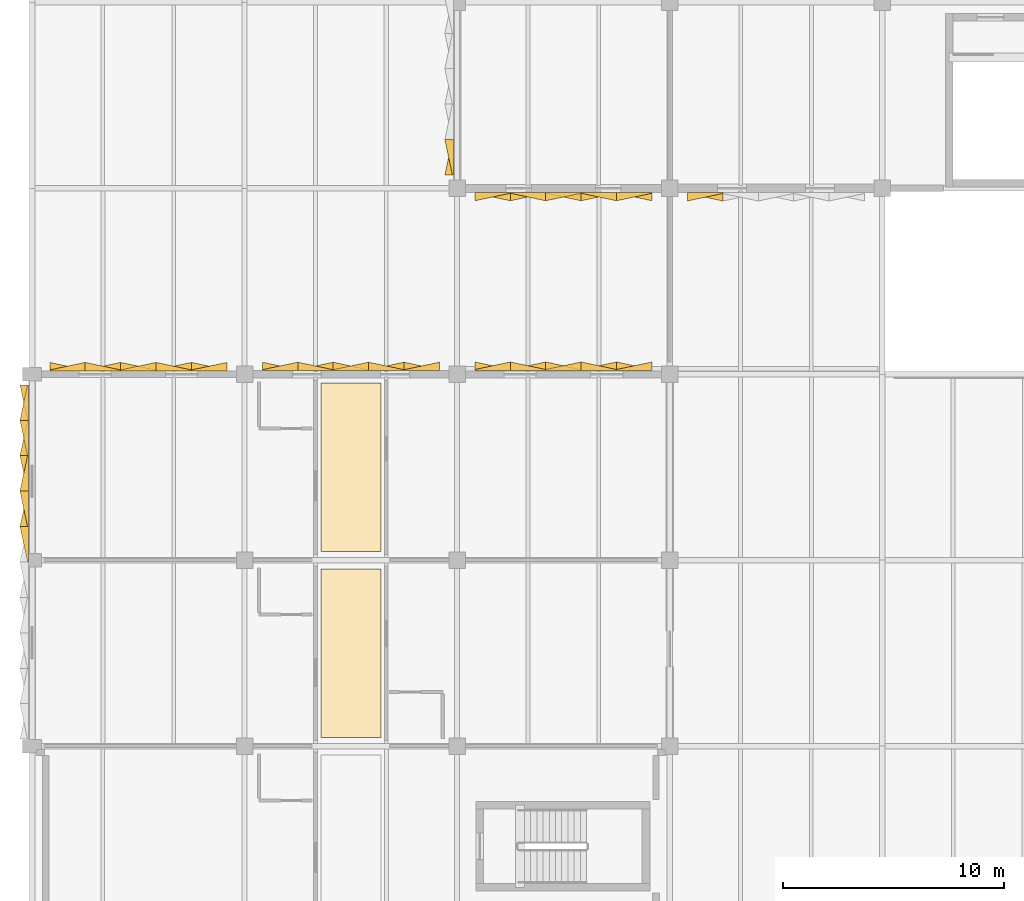
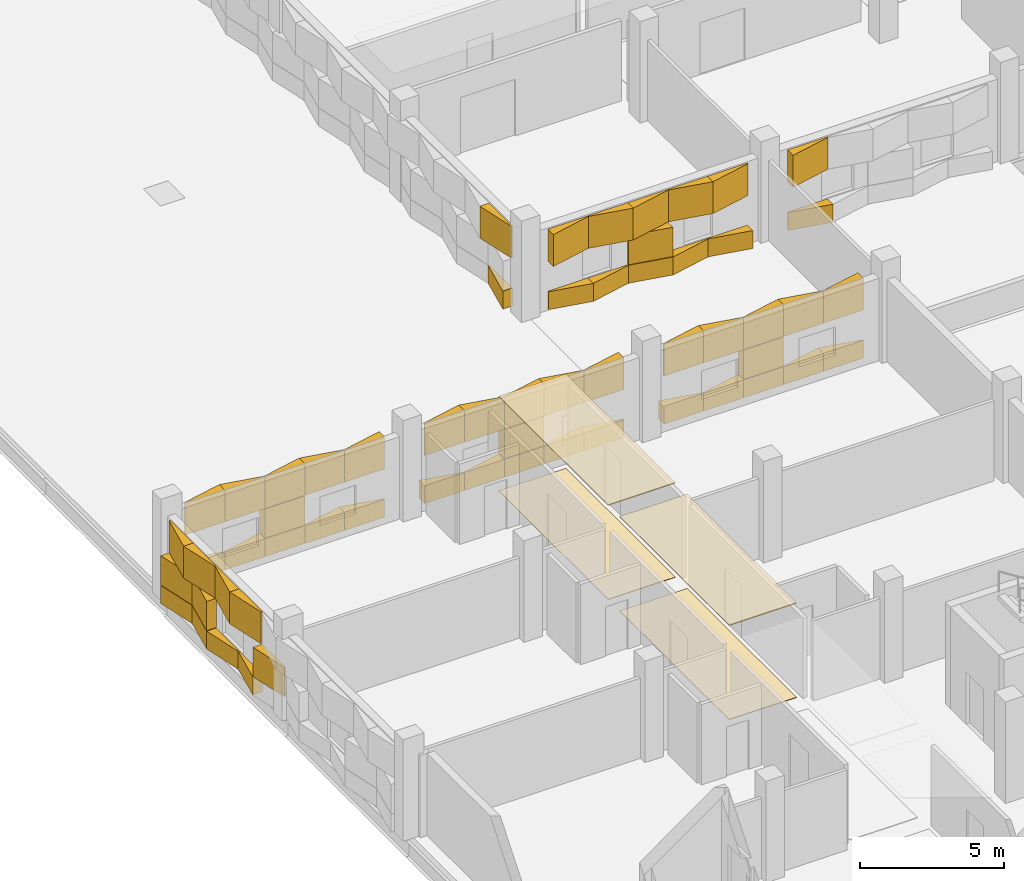
# One storey, part 72 of 86: 63 coverings.
"""IFC4 building model written with IfcOpenShell, lengths in metres."""

from ifc_helpers import new_model, si_unit, direction, frame, origin, place, context, subcontext, project, spatial, polyline, outline, extrude, material, layer, layer_set, type_object, element, save


model = new_model("IFC4")

# Units and contexts
model_context = context("Model", 3, precision=1e-05, world=origin(), true_north=direction((0.0, 1.0)))
body_context = subcontext(model_context, "Body", "Model", "MODEL_VIEW")
ifc_project = project(units=[si_unit("LENGTHUNIT", "METRE"), si_unit("AREAUNIT", "SQUARE_METRE"), si_unit("VOLUMEUNIT", "CUBIC_METRE"), si_unit("PLANEANGLEUNIT", "RADIAN"), si_unit("MASSUNIT", "GRAM", prefix="KILO")], contexts=[model_context])

# Site, building, storey
site_placement = place(None, origin())
site = spatial("IfcSite", under=ifc_project, at=site_placement, CompositionType="ELEMENT")
building_placement = place(site_placement, origin())
building = spatial("IfcBuilding", under=site, at=building_placement, Name="Oolite Switchyard Hospital", CompositionType="ELEMENT")
storey_placement = place(building_placement, frame((0.0, 0.0, 13.5)))
storey = spatial("IfcBuildingStorey", under=building, at=storey_placement, Name="L03", CompositionType="ELEMENT", Elevation=13.5)

# Coverings
ifc_material_1 = material(Name="Hygienic washable mineral-fibre acoustic ceiling")
ifc_layer_1 = layer(ifc_material_1, 0.0400390625)
ifc_layer_set_1 = layer_set([ifc_layer_1], Name="COV-CEIL-AC60")
covering_type_1 = type_object("IfcCoveringType", Name="COV-CEIL-AC60", PredefinedType="CEILING", material=ifc_layer_set_1)
covering_1_placement = place(storey_placement, frame((0.0, 0.0, 3.985107421875)))
element("IfcCovering", 1, at=covering_1_placement, inside=storey, type_object=covering_type_1, Name="L03 West Acute Medical Ward Corridor Ceiling 5", PredefinedType="CEILING", context=body_context, shape_type="SweptSolid", body=[
    extrude(outline(polyline([(13.050048828125, 67.60009765625), (15.75, 67.60009765625), (15.75, 75.199951171875), (13.050048828125, 75.199951171875), (13.050048828125, 67.60009765625)])), origin(), (0.0, 0.0, 1.0), 0.039794921875),
])
covering_2_placement = place(storey_placement, frame((0.0, 0.0, 3.985107421875)))
element("IfcCovering", 2, at=covering_2_placement, inside=storey, type_object=covering_type_1, Name="L03 West Acute Medical Ward Corridor Ceiling 6", PredefinedType="CEILING", context=body_context, shape_type="SweptSolid", body=[
    extrude(outline(polyline([(13.050048828125, 76.0), (15.75, 76.0), (15.75, 83.60009765625), (13.050048828125, 83.60009765625), (13.050048828125, 76.0)])), origin(), (0.0, 0.0, 1.0), 0.039794921875),
])
ifc_material_2 = material(Name="Precast oolitic limestone architectural concrete C40/50", Category="masonry")
covering_type_2 = type_object("IfcCoveringType", Name="COV-CHEV-WARM", PredefinedType="CLADDING", material=ifc_material_2)
covering_3_placement = place(storey_placement, frame((0.800048828125, 84.14990234375, 0.050048828125), z_axis=(0.0, 0.0, 1.0), x_axis=(1.0, 0.0, 0.0)))
element("IfcCovering", 3, at=covering_3_placement, inside=storey, type_object=covering_type_2, Name="L03 Chevron Precast Oolite Panel 67", PredefinedType="CLADDING", context=body_context, shape_type="SweptSolid", body=[
    extrude(outline(polyline([(0.0, 0.0), (1.599853515625, 0.0), (1.599853515625, 0.044921875), (0.0, 0.385009765625), (0.0, 0.0)])), origin(), (0.0, 0.0, 1.0), 0.760009765625),
])
covering_4_placement = place(storey_placement, frame((0.800048828125, 84.14990234375, 2.090087890625), z_axis=(0.0, 0.0, 1.0), x_axis=(1.0, 0.0, 0.0)))
element("IfcCovering", 4, at=covering_4_placement, inside=storey, type_object=covering_type_2, Name="L03 Chevron Precast Oolite Panel 68", PredefinedType="CLADDING", context=body_context, shape_type="SweptSolid", body=[
    extrude(outline(polyline([(0.0, 0.0), (1.599853515625, 0.0), (1.599853515625, 0.385009765625), (0.0, 0.044921875), (0.0, 0.0)])), origin(), (0.0, 0.0, 1.0), 1.349853515625),
])
covering_5_placement = place(storey_placement, frame((2.39990234375, 84.14990234375, 0.050048828125), z_axis=(0.0, 0.0, 1.0), x_axis=(1.0, 0.0, 0.0)))
element("IfcCovering", 5, at=covering_5_placement, inside=storey, type_object=covering_type_2, Name="L03 Chevron Precast Oolite Panel 69", PredefinedType="CLADDING", context=body_context, shape_type="SweptSolid", body=[
    extrude(outline(polyline([(0.0, 0.0), (1.60009765625, 0.0), (1.60009765625, 0.385009765625), (0.0, 0.044921875), (0.0, 0.0)])), origin(), (0.0, 0.0, 1.0), 0.760009765625),
])
covering_6_placement = place(storey_placement, frame((2.39990234375, 84.14990234375, 2.090087890625), z_axis=(0.0, 0.0, 1.0), x_axis=(1.0, 0.0, 0.0)))
element("IfcCovering", 6, at=covering_6_placement, inside=storey, type_object=covering_type_2, Name="L03 Chevron Precast Oolite Panel 70", PredefinedType="CLADDING", context=body_context, shape_type="SweptSolid", body=[
    extrude(outline(polyline([(0.0, 0.0), (1.60009765625, 0.0), (1.60009765625, 0.044921875), (0.0, 0.385009765625), (0.0, 0.0)])), origin(), (0.0, 0.0, 1.0), 1.349853515625),
])
covering_7_placement = place(storey_placement, frame((4.0, 84.14990234375, 0.050048828125), z_axis=(0.0, 0.0, 1.0), x_axis=(1.0, 0.0, 0.0)))
element("IfcCovering", 7, at=covering_7_placement, inside=storey, type_object=covering_type_2, Name="L03 Chevron Precast Oolite Panel 71", PredefinedType="CLADDING", context=body_context, shape_type="SweptSolid", body=[
    extrude(outline(polyline([(0.0, 0.0), (1.60009765625, 0.0), (1.60009765625, 0.044921875), (0.0, 0.385009765625), (0.0, 0.0)])), origin(), (0.0, 0.0, 1.0), 0.760009765625),
])
covering_8_placement = place(storey_placement, frame((4.0, 84.14990234375, 2.090087890625), z_axis=(0.0, 0.0, 1.0), x_axis=(1.0, 0.0, 0.0)))
element("IfcCovering", 8, at=covering_8_placement, inside=storey, type_object=covering_type_2, Name="L03 Chevron Precast Oolite Panel 72", PredefinedType="CLADDING", context=body_context, shape_type="SweptSolid", body=[
    extrude(outline(polyline([(0.0, 0.0), (1.60009765625, 0.0), (1.60009765625, 0.385009765625), (0.0, 0.044921875), (0.0, 0.0)])), origin(), (0.0, 0.0, 1.0), 1.349853515625),
])
covering_9_placement = place(storey_placement, frame((4.0, 84.14990234375, 0.830078125), z_axis=(0.0, 0.0, 1.0), x_axis=(1.0, 0.0, 0.0)))
element("IfcCovering", 9, at=covering_9_placement, inside=storey, type_object=covering_type_2, Name="L03 Chevron Precast Oolite Panel 73", PredefinedType="CLADDING", context=body_context, shape_type="SweptSolid", body=[
    extrude(outline(polyline([(0.0, 0.0), (1.60009765625, 0.0), (1.60009765625, 0.044921875), (0.0, 0.385009765625), (0.0, 0.0)])), origin(), (0.0, 0.0, 1.0), 1.239990234375),
])
covering_10_placement = place(storey_placement, frame((5.60009765625, 84.14990234375, 0.050048828125), z_axis=(0.0, 0.0, 1.0), x_axis=(1.0, 0.0, 0.0)))
element("IfcCovering", 10, at=covering_10_placement, inside=storey, type_object=covering_type_2, Name="L03 Chevron Precast Oolite Panel 74", PredefinedType="CLADDING", context=body_context, shape_type="SweptSolid", body=[
    extrude(outline(polyline([(0.0, 0.0), (1.599853515625, 0.0), (1.599853515625, 0.385009765625), (0.0, 0.044921875), (0.0, 0.0)])), origin(), (0.0, 0.0, 1.0), 0.760009765625),
])
covering_11_placement = place(storey_placement, frame((5.60009765625, 84.14990234375, 2.090087890625), z_axis=(0.0, 0.0, 1.0), x_axis=(1.0, 0.0, 0.0)))
element("IfcCovering", 11, at=covering_11_placement, inside=storey, type_object=covering_type_2, Name="L03 Chevron Precast Oolite Panel 75", PredefinedType="CLADDING", context=body_context, shape_type="SweptSolid", body=[
    extrude(outline(polyline([(0.0, 0.0), (1.599853515625, 0.0), (1.599853515625, 0.044921875), (0.0, 0.385009765625), (0.0, 0.0)])), origin(), (0.0, 0.0, 1.0), 1.349853515625),
])
covering_12_placement = place(storey_placement, frame((7.199951171875, 84.14990234375, 0.050048828125), z_axis=(0.0, 0.0, 1.0), x_axis=(1.0, 0.0, 0.0)))
element("IfcCovering", 12, at=covering_12_placement, inside=storey, type_object=covering_type_2, Name="L03 Chevron Precast Oolite Panel 76", PredefinedType="CLADDING", context=body_context, shape_type="SweptSolid", body=[
    extrude(outline(polyline([(0.0, 0.0), (1.60009765625, 0.0), (1.60009765625, 0.044921875), (0.0, 0.385009765625), (0.0, 0.0)])), origin(), (0.0, 0.0, 1.0), 0.760009765625),
])
covering_13_placement = place(storey_placement, frame((7.199951171875, 84.14990234375, 2.090087890625), z_axis=(0.0, 0.0, 1.0), x_axis=(1.0, 0.0, 0.0)))
element("IfcCovering", 13, at=covering_13_placement, inside=storey, type_object=covering_type_2, Name="L03 Chevron Precast Oolite Panel 77", PredefinedType="CLADDING", context=body_context, shape_type="SweptSolid", body=[
    extrude(outline(polyline([(0.0, 0.0), (1.60009765625, 0.0), (1.60009765625, 0.385009765625), (0.0, 0.044921875), (0.0, 0.0)])), origin(), (0.0, 0.0, 1.0), 1.349853515625),
])
covering_14_placement = place(storey_placement, frame((10.39990234375, 84.159912109375, 0.050048828125), z_axis=(0.0, 0.0, 1.0), x_axis=(1.0, 0.0, 0.0)))
element("IfcCovering", 14, at=covering_14_placement, inside=storey, type_object=covering_type_2, Name="L03 Chevron Precast Oolite Panel 78", PredefinedType="CLADDING", context=body_context, shape_type="SweptSolid", body=[
    extrude(outline(polyline([(0.0, 0.0), (1.60009765625, 0.0), (1.60009765625, 0.044921875), (0.0, 0.385009765625), (0.0, 0.0)])), origin(), (0.0, 0.0, 1.0), 0.760009765625),
])
covering_15_placement = place(storey_placement, frame((10.39990234375, 84.159912109375, 2.090087890625), z_axis=(0.0, 0.0, 1.0), x_axis=(1.0, 0.0, 0.0)))
element("IfcCovering", 15, at=covering_15_placement, inside=storey, type_object=covering_type_2, Name="L03 Chevron Precast Oolite Panel 79", PredefinedType="CLADDING", context=body_context, shape_type="SweptSolid", body=[
    extrude(outline(polyline([(0.0, 0.0), (1.60009765625, 0.0), (1.60009765625, 0.385009765625), (0.0, 0.044921875), (0.0, 0.0)])), origin(), (0.0, 0.0, 1.0), 1.349853515625),
])
covering_16_placement = place(storey_placement, frame((12.0, 84.159912109375, 0.050048828125), z_axis=(0.0, 0.0, 1.0), x_axis=(1.0, 0.0, 0.0)))
element("IfcCovering", 16, at=covering_16_placement, inside=storey, type_object=covering_type_2, Name="L03 Chevron Precast Oolite Panel 80", PredefinedType="CLADDING", context=body_context, shape_type="SweptSolid", body=[
    extrude(outline(polyline([(0.0, 0.0), (1.60009765625, 0.0), (1.60009765625, 0.385009765625), (0.0, 0.044921875), (0.0, 0.0)])), origin(), (0.0, 0.0, 1.0), 0.760009765625),
])
covering_17_placement = place(storey_placement, frame((12.0, 84.159912109375, 2.090087890625), z_axis=(0.0, 0.0, 1.0), x_axis=(1.0, 0.0, 0.0)))
element("IfcCovering", 17, at=covering_17_placement, inside=storey, type_object=covering_type_2, Name="L03 Chevron Precast Oolite Panel 81", PredefinedType="CLADDING", context=body_context, shape_type="SweptSolid", body=[
    extrude(outline(polyline([(0.0, 0.0), (1.60009765625, 0.0), (1.60009765625, 0.044921875), (0.0, 0.385009765625), (0.0, 0.0)])), origin(), (0.0, 0.0, 1.0), 1.349853515625),
])
covering_18_placement = place(storey_placement, frame((13.60009765625, 84.159912109375, 0.050048828125), z_axis=(0.0, 0.0, 1.0), x_axis=(1.0, 0.0, 0.0)))
element("IfcCovering", 18, at=covering_18_placement, inside=storey, type_object=covering_type_2, Name="L03 Chevron Precast Oolite Panel 82", PredefinedType="CLADDING", context=body_context, shape_type="SweptSolid", body=[
    extrude(outline(polyline([(0.0, 0.0), (1.599853515625, 0.0), (1.599853515625, 0.044921875), (0.0, 0.385009765625), (0.0, 0.0)])), origin(), (0.0, 0.0, 1.0), 0.760009765625),
])
covering_19_placement = place(storey_placement, frame((13.60009765625, 84.159912109375, 2.090087890625), z_axis=(0.0, 0.0, 1.0), x_axis=(1.0, 0.0, 0.0)))
element("IfcCovering", 19, at=covering_19_placement, inside=storey, type_object=covering_type_2, Name="L03 Chevron Precast Oolite Panel 83", PredefinedType="CLADDING", context=body_context, shape_type="SweptSolid", body=[
    extrude(outline(polyline([(0.0, 0.0), (1.599853515625, 0.0), (1.599853515625, 0.385009765625), (0.0, 0.044921875), (0.0, 0.0)])), origin(), (0.0, 0.0, 1.0), 1.349853515625),
])
covering_20_placement = place(storey_placement, frame((13.60009765625, 84.159912109375, 0.830078125), z_axis=(0.0, 0.0, 1.0), x_axis=(1.0, 0.0, 0.0)))
element("IfcCovering", 20, at=covering_20_placement, inside=storey, type_object=covering_type_2, Name="L03 Chevron Precast Oolite Panel 84", PredefinedType="CLADDING", context=body_context, shape_type="SweptSolid", body=[
    extrude(outline(polyline([(0.0, 0.0), (1.599853515625, 0.0), (1.599853515625, 0.044921875), (0.0, 0.385009765625), (0.0, 0.0)])), origin(), (0.0, 0.0, 1.0), 1.239990234375),
])
covering_21_placement = place(storey_placement, frame((15.199951171875, 84.159912109375, 0.050048828125), z_axis=(0.0, 0.0, 1.0), x_axis=(1.0, 0.0, 0.0)))
element("IfcCovering", 21, at=covering_21_placement, inside=storey, type_object=covering_type_2, Name="L03 Chevron Precast Oolite Panel 85", PredefinedType="CLADDING", context=body_context, shape_type="SweptSolid", body=[
    extrude(outline(polyline([(0.0, 0.0), (1.60009765625, 0.0), (1.60009765625, 0.385009765625), (0.0, 0.044921875), (0.0, 0.0)])), origin(), (0.0, 0.0, 1.0), 0.760009765625),
])
covering_22_placement = place(storey_placement, frame((15.199951171875, 84.159912109375, 2.090087890625), z_axis=(0.0, 0.0, 1.0), x_axis=(1.0, 0.0, 0.0)))
element("IfcCovering", 22, at=covering_22_placement, inside=storey, type_object=covering_type_2, Name="L03 Chevron Precast Oolite Panel 86", PredefinedType="CLADDING", context=body_context, shape_type="SweptSolid", body=[
    extrude(outline(polyline([(0.0, 0.0), (1.60009765625, 0.0), (1.60009765625, 0.044921875), (0.0, 0.385009765625), (0.0, 0.0)])), origin(), (0.0, 0.0, 1.0), 1.349853515625),
])
covering_23_placement = place(storey_placement, frame((16.800048828125, 84.159912109375, 0.050048828125), z_axis=(0.0, 0.0, 1.0), x_axis=(1.0, 0.0, 0.0)))
element("IfcCovering", 23, at=covering_23_placement, inside=storey, type_object=covering_type_2, Name="L03 Chevron Precast Oolite Panel 87", PredefinedType="CLADDING", context=body_context, shape_type="SweptSolid", body=[
    extrude(outline(polyline([(0.0, 0.0), (1.599853515625, 0.0), (1.599853515625, 0.044921875), (0.0, 0.385009765625), (0.0, 0.0)])), origin(), (0.0, 0.0, 1.0), 0.760009765625),
])
covering_24_placement = place(storey_placement, frame((16.800048828125, 84.159912109375, 2.090087890625), z_axis=(0.0, 0.0, 1.0), x_axis=(1.0, 0.0, 0.0)))
element("IfcCovering", 24, at=covering_24_placement, inside=storey, type_object=covering_type_2, Name="L03 Chevron Precast Oolite Panel 88", PredefinedType="CLADDING", context=body_context, shape_type="SweptSolid", body=[
    extrude(outline(polyline([(0.0, 0.0), (1.599853515625, 0.0), (1.599853515625, 0.385009765625), (0.0, 0.044921875), (0.0, 0.0)])), origin(), (0.0, 0.0, 1.0), 1.349853515625),
])
covering_25_placement = place(storey_placement, frame((20.0, 84.169921875, 0.050048828125), z_axis=(0.0, 0.0, 1.0), x_axis=(1.0, 0.0, 0.0)))
element("IfcCovering", 25, at=covering_25_placement, inside=storey, type_object=covering_type_2, Name="L03 Chevron Precast Oolite Panel 89", PredefinedType="CLADDING", context=body_context, shape_type="SweptSolid", body=[
    extrude(outline(polyline([(0.0, 0.0), (1.60009765625, 0.0), (1.60009765625, 0.044921875), (0.0, 0.385009765625), (0.0, 0.0)])), origin(), (0.0, 0.0, 1.0), 0.760009765625),
])
covering_26_placement = place(storey_placement, frame((20.0, 84.169921875, 2.090087890625), z_axis=(0.0, 0.0, 1.0), x_axis=(1.0, 0.0, 0.0)))
element("IfcCovering", 26, at=covering_26_placement, inside=storey, type_object=covering_type_2, Name="L03 Chevron Precast Oolite Panel 90", PredefinedType="CLADDING", context=body_context, shape_type="SweptSolid", body=[
    extrude(outline(polyline([(0.0, 0.0), (1.60009765625, 0.0), (1.60009765625, 0.385009765625), (0.0, 0.044921875), (0.0, 0.0)])), origin(), (0.0, 0.0, 1.0), 1.349853515625),
])
covering_27_placement = place(storey_placement, frame((21.60009765625, 84.169921875, 0.050048828125), z_axis=(0.0, 0.0, 1.0), x_axis=(1.0, 0.0, 0.0)))
element("IfcCovering", 27, at=covering_27_placement, inside=storey, type_object=covering_type_2, Name="L03 Chevron Precast Oolite Panel 91", PredefinedType="CLADDING", context=body_context, shape_type="SweptSolid", body=[
    extrude(outline(polyline([(0.0, 0.0), (1.599853515625, 0.0), (1.599853515625, 0.385009765625), (0.0, 0.044921875), (0.0, 0.0)])), origin(), (0.0, 0.0, 1.0), 0.760009765625),
])
covering_28_placement = place(storey_placement, frame((21.60009765625, 84.169921875, 2.090087890625), z_axis=(0.0, 0.0, 1.0), x_axis=(1.0, 0.0, 0.0)))
element("IfcCovering", 28, at=covering_28_placement, inside=storey, type_object=covering_type_2, Name="L03 Chevron Precast Oolite Panel 92", PredefinedType="CLADDING", context=body_context, shape_type="SweptSolid", body=[
    extrude(outline(polyline([(0.0, 0.0), (1.599853515625, 0.0), (1.599853515625, 0.044921875), (0.0, 0.385009765625), (0.0, 0.0)])), origin(), (0.0, 0.0, 1.0), 1.349853515625),
])
covering_29_placement = place(storey_placement, frame((23.199951171875, 84.169921875, 0.050048828125), z_axis=(0.0, 0.0, 1.0), x_axis=(1.0, 0.0, 0.0)))
element("IfcCovering", 29, at=covering_29_placement, inside=storey, type_object=covering_type_2, Name="L03 Chevron Precast Oolite Panel 93", PredefinedType="CLADDING", context=body_context, shape_type="SweptSolid", body=[
    extrude(outline(polyline([(0.0, 0.0), (1.60009765625, 0.0), (1.60009765625, 0.044921875), (0.0, 0.385009765625), (0.0, 0.0)])), origin(), (0.0, 0.0, 1.0), 0.760009765625),
])
covering_30_placement = place(storey_placement, frame((23.199951171875, 84.169921875, 2.090087890625), z_axis=(0.0, 0.0, 1.0), x_axis=(1.0, 0.0, 0.0)))
element("IfcCovering", 30, at=covering_30_placement, inside=storey, type_object=covering_type_2, Name="L03 Chevron Precast Oolite Panel 94", PredefinedType="CLADDING", context=body_context, shape_type="SweptSolid", body=[
    extrude(outline(polyline([(0.0, 0.0), (1.60009765625, 0.0), (1.60009765625, 0.385009765625), (0.0, 0.044921875), (0.0, 0.0)])), origin(), (0.0, 0.0, 1.0), 1.349853515625),
])
covering_31_placement = place(storey_placement, frame((23.199951171875, 84.169921875, 0.830078125), z_axis=(0.0, 0.0, 1.0), x_axis=(1.0, 0.0, 0.0)))
element("IfcCovering", 31, at=covering_31_placement, inside=storey, type_object=covering_type_2, Name="L03 Chevron Precast Oolite Panel 95", PredefinedType="CLADDING", context=body_context, shape_type="SweptSolid", body=[
    extrude(outline(polyline([(0.0, 0.0), (1.60009765625, 0.0), (1.60009765625, 0.044921875), (0.0, 0.385009765625), (0.0, 0.0)])), origin(), (0.0, 0.0, 1.0), 1.239990234375),
])
covering_32_placement = place(storey_placement, frame((24.800048828125, 84.169921875, 0.050048828125), z_axis=(0.0, 0.0, 1.0), x_axis=(1.0, 0.0, 0.0)))
element("IfcCovering", 32, at=covering_32_placement, inside=storey, type_object=covering_type_2, Name="L03 Chevron Precast Oolite Panel 96", PredefinedType="CLADDING", context=body_context, shape_type="SweptSolid", body=[
    extrude(outline(polyline([(0.0, 0.0), (1.599853515625, 0.0), (1.599853515625, 0.385009765625), (0.0, 0.044921875), (0.0, 0.0)])), origin(), (0.0, 0.0, 1.0), 0.760009765625),
])
covering_33_placement = place(storey_placement, frame((24.800048828125, 84.169921875, 2.090087890625), z_axis=(0.0, 0.0, 1.0), x_axis=(1.0, 0.0, 0.0)))
element("IfcCovering", 33, at=covering_33_placement, inside=storey, type_object=covering_type_2, Name="L03 Chevron Precast Oolite Panel 97", PredefinedType="CLADDING", context=body_context, shape_type="SweptSolid", body=[
    extrude(outline(polyline([(0.0, 0.0), (1.599853515625, 0.0), (1.599853515625, 0.044921875), (0.0, 0.385009765625), (0.0, 0.0)])), origin(), (0.0, 0.0, 1.0), 1.349853515625),
])
covering_34_placement = place(storey_placement, frame((26.39990234375, 84.169921875, 0.050048828125), z_axis=(0.0, 0.0, 1.0), x_axis=(1.0, 0.0, 0.0)))
element("IfcCovering", 34, at=covering_34_placement, inside=storey, type_object=covering_type_2, Name="L03 Chevron Precast Oolite Panel 98", PredefinedType="CLADDING", context=body_context, shape_type="SweptSolid", body=[
    extrude(outline(polyline([(0.0, 0.0), (1.60009765625, 0.0), (1.60009765625, 0.044921875), (0.0, 0.385009765625), (0.0, 0.0)])), origin(), (0.0, 0.0, 1.0), 0.760009765625),
])
covering_35_placement = place(storey_placement, frame((26.39990234375, 84.169921875, 2.090087890625), z_axis=(0.0, 0.0, 1.0), x_axis=(1.0, 0.0, 0.0)))
element("IfcCovering", 35, at=covering_35_placement, inside=storey, type_object=covering_type_2, Name="L03 Chevron Precast Oolite Panel 99", PredefinedType="CLADDING", context=body_context, shape_type="SweptSolid", body=[
    extrude(outline(polyline([(0.0, 0.0), (1.60009765625, 0.0), (1.60009765625, 0.385009765625), (0.0, 0.044921875), (0.0, 0.0)])), origin(), (0.0, 0.0, 1.0), 1.349853515625),
])
covering_36_placement = place(storey_placement, frame((28.0, 92.219970703125, 0.050048828125), z_axis=(0.0, 0.0, 1.0), x_axis=(-1.0, 0.0, 0.0)))
element("IfcCovering", 36, at=covering_36_placement, inside=storey, type_object=covering_type_2, Name="L03 Chevron Precast Oolite Panel 100", PredefinedType="CLADDING", context=body_context, shape_type="SweptSolid", body=[
    extrude(outline(polyline([(0.0, 0.0), (1.60009765625, 0.0), (1.60009765625, 0.044921875), (0.0, 0.385009765625), (0.0, 0.0)])), origin(), (0.0, 0.0, 1.0), 0.760009765625),
])
covering_37_placement = place(storey_placement, frame((28.0, 92.219970703125, 2.090087890625), z_axis=(0.0, 0.0, 1.0), x_axis=(-1.0, 0.0, 0.0)))
element("IfcCovering", 37, at=covering_37_placement, inside=storey, type_object=covering_type_2, Name="L03 Chevron Precast Oolite Panel 101", PredefinedType="CLADDING", context=body_context, shape_type="SweptSolid", body=[
    extrude(outline(polyline([(0.0, 0.0), (1.60009765625, 0.0), (1.60009765625, 0.385009765625), (0.0, 0.044921875), (0.0, 0.0)])), origin(), (0.0, 0.0, 1.0), 1.349853515625),
])
covering_38_placement = place(storey_placement, frame((26.39990234375, 92.219970703125, 0.050048828125), z_axis=(0.0, 0.0, 1.0), x_axis=(-1.0, 0.0, 0.0)))
element("IfcCovering", 38, at=covering_38_placement, inside=storey, type_object=covering_type_2, Name="L03 Chevron Precast Oolite Panel 102", PredefinedType="CLADDING", context=body_context, shape_type="SweptSolid", body=[
    extrude(outline(polyline([(0.0, 0.0), (1.599853515625, 0.0), (1.599853515625, 0.385009765625), (0.0, 0.044921875), (0.0, 0.0)])), origin(), (0.0, 0.0, 1.0), 0.760009765625),
])
covering_39_placement = place(storey_placement, frame((26.39990234375, 92.219970703125, 2.090087890625), z_axis=(0.0, 0.0, 1.0), x_axis=(-1.0, 0.0, 0.0)))
element("IfcCovering", 39, at=covering_39_placement, inside=storey, type_object=covering_type_2, Name="L03 Chevron Precast Oolite Panel 103", PredefinedType="CLADDING", context=body_context, shape_type="SweptSolid", body=[
    extrude(outline(polyline([(0.0, 0.0), (1.599853515625, 0.0), (1.599853515625, 0.044921875), (0.0, 0.385009765625), (0.0, 0.0)])), origin(), (0.0, 0.0, 1.0), 1.349853515625),
])
covering_40_placement = place(storey_placement, frame((24.800048828125, 92.219970703125, 0.050048828125), z_axis=(0.0, 0.0, 1.0), x_axis=(-1.0, 0.0, 0.0)))
element("IfcCovering", 40, at=covering_40_placement, inside=storey, type_object=covering_type_2, Name="L03 Chevron Precast Oolite Panel 104", PredefinedType="CLADDING", context=body_context, shape_type="SweptSolid", body=[
    extrude(outline(polyline([(0.0, 0.0), (1.60009765625, 0.0), (1.60009765625, 0.044921875), (0.0, 0.385009765625), (0.0, 0.0)])), origin(), (0.0, 0.0, 1.0), 0.760009765625),
])
covering_41_placement = place(storey_placement, frame((24.800048828125, 92.219970703125, 2.090087890625), z_axis=(0.0, 0.0, 1.0), x_axis=(-1.0, 0.0, 0.0)))
element("IfcCovering", 41, at=covering_41_placement, inside=storey, type_object=covering_type_2, Name="L03 Chevron Precast Oolite Panel 105", PredefinedType="CLADDING", context=body_context, shape_type="SweptSolid", body=[
    extrude(outline(polyline([(0.0, 0.0), (1.60009765625, 0.0), (1.60009765625, 0.385009765625), (0.0, 0.044921875), (0.0, 0.0)])), origin(), (0.0, 0.0, 1.0), 1.349853515625),
])
covering_42_placement = place(storey_placement, frame((24.800048828125, 92.219970703125, 0.830078125), z_axis=(0.0, 0.0, 1.0), x_axis=(-1.0, 0.0, 0.0)))
element("IfcCovering", 42, at=covering_42_placement, inside=storey, type_object=covering_type_2, Name="L03 Chevron Precast Oolite Panel 106", PredefinedType="CLADDING", context=body_context, shape_type="SweptSolid", body=[
    extrude(outline(polyline([(0.0, 0.0), (1.60009765625, 0.0), (1.60009765625, 0.044921875), (0.0, 0.385009765625), (0.0, 0.0)])), origin(), (0.0, 0.0, 1.0), 1.239990234375),
])
covering_43_placement = place(storey_placement, frame((23.199951171875, 92.219970703125, 0.050048828125), z_axis=(0.0, 0.0, 1.0), x_axis=(-1.0, 0.0, 0.0)))
element("IfcCovering", 43, at=covering_43_placement, inside=storey, type_object=covering_type_2, Name="L03 Chevron Precast Oolite Panel 107", PredefinedType="CLADDING", context=body_context, shape_type="SweptSolid", body=[
    extrude(outline(polyline([(0.0, 0.0), (1.599853515625, 0.0), (1.599853515625, 0.385009765625), (0.0, 0.044921875), (0.0, 0.0)])), origin(), (0.0, 0.0, 1.0), 0.760009765625),
])
covering_44_placement = place(storey_placement, frame((23.199951171875, 92.219970703125, 2.090087890625), z_axis=(0.0, 0.0, 1.0), x_axis=(-1.0, 0.0, 0.0)))
element("IfcCovering", 44, at=covering_44_placement, inside=storey, type_object=covering_type_2, Name="L03 Chevron Precast Oolite Panel 108", PredefinedType="CLADDING", context=body_context, shape_type="SweptSolid", body=[
    extrude(outline(polyline([(0.0, 0.0), (1.599853515625, 0.0), (1.599853515625, 0.044921875), (0.0, 0.385009765625), (0.0, 0.0)])), origin(), (0.0, 0.0, 1.0), 1.349853515625),
])
covering_45_placement = place(storey_placement, frame((21.60009765625, 92.219970703125, 0.050048828125), z_axis=(0.0, 0.0, 1.0), x_axis=(-1.0, 0.0, 0.0)))
element("IfcCovering", 45, at=covering_45_placement, inside=storey, type_object=covering_type_2, Name="L03 Chevron Precast Oolite Panel 109", PredefinedType="CLADDING", context=body_context, shape_type="SweptSolid", body=[
    extrude(outline(polyline([(0.0, 0.0), (1.60009765625, 0.0), (1.60009765625, 0.044921875), (0.0, 0.385009765625), (0.0, 0.0)])), origin(), (0.0, 0.0, 1.0), 0.760009765625),
])
covering_46_placement = place(storey_placement, frame((21.60009765625, 92.219970703125, 2.090087890625), z_axis=(0.0, 0.0, 1.0), x_axis=(-1.0, 0.0, 0.0)))
element("IfcCovering", 46, at=covering_46_placement, inside=storey, type_object=covering_type_2, Name="L03 Chevron Precast Oolite Panel 110", PredefinedType="CLADDING", context=body_context, shape_type="SweptSolid", body=[
    extrude(outline(polyline([(0.0, 0.0), (1.60009765625, 0.0), (1.60009765625, 0.385009765625), (0.0, 0.044921875), (0.0, 0.0)])), origin(), (0.0, 0.0, 1.0), 1.349853515625),
])
covering_47_placement = place(storey_placement, frame((31.199951171875, 92.2099609375, 0.050048828125), z_axis=(0.0, 0.0, 1.0), x_axis=(-1.0, 0.0, 0.0)))
element("IfcCovering", 47, at=covering_47_placement, inside=storey, type_object=covering_type_2, Name="L03 Chevron Precast Oolite Panel 120", PredefinedType="CLADDING", context=body_context, shape_type="SweptSolid", body=[
    extrude(outline(polyline([(0.0, 0.0), (1.599853515625, 0.0), (1.599853515625, 0.044921875), (0.0, 0.385009765625), (0.0, 0.0)])), origin(), (0.0, 0.0, 1.0), 0.760009765625),
])
covering_48_placement = place(storey_placement, frame((31.199951171875, 92.2099609375, 2.090087890625), z_axis=(0.0, 0.0, 1.0), x_axis=(-1.0, 0.0, 0.0)))
element("IfcCovering", 48, at=covering_48_placement, inside=storey, type_object=covering_type_2, Name="L03 Chevron Precast Oolite Panel 121", PredefinedType="CLADDING", context=body_context, shape_type="SweptSolid", body=[
    extrude(outline(polyline([(0.0, 0.0), (1.599853515625, 0.0), (1.599853515625, 0.385009765625), (0.0, 0.044921875), (0.0, 0.0)])), origin(), (0.0, 0.0, 1.0), 1.349853515625),
])
covering_49_placement = place(storey_placement, frame((-0.159912109375, 75.52001953125, 0.830078125), z_axis=(0.0, 0.0, 1.0), x_axis=(0.0, 1.0, 0.0)))
element("IfcCovering", 49, at=covering_49_placement, inside=storey, type_object=covering_type_2, Name="L03 Chevron Precast Oolite Panel 357", PredefinedType="CLADDING", context=body_context, shape_type="SweptSolid", body=[
    extrude(outline(polyline([(0.0, 0.0), (1.60009765625, 0.0), (1.60009765625, 0.385009765625), (0.0, 0.044921875), (0.0, 0.0)])), origin(), (0.0, 0.0, 1.0), 1.239990234375),
])
covering_50_placement = place(storey_placement, frame((-0.159912109375, 77.1201171875, 0.050048828125), z_axis=(0.0, 0.0, 1.0), x_axis=(0.0, 1.0, 0.0)))
element("IfcCovering", 50, at=covering_50_placement, inside=storey, type_object=covering_type_2, Name="L03 Chevron Precast Oolite Panel 358", PredefinedType="CLADDING", context=body_context, shape_type="SweptSolid", body=[
    extrude(outline(polyline([(0.0, 0.0), (1.599853515625, 0.0), (1.599853515625, 0.044921875), (0.0, 0.385009765625), (0.0, 0.0)])), origin(), (0.0, 0.0, 1.0), 0.760009765625),
])
covering_51_placement = place(storey_placement, frame((-0.159912109375, 77.1201171875, 2.090087890625), z_axis=(0.0, 0.0, 1.0), x_axis=(0.0, 1.0, 0.0)))
element("IfcCovering", 51, at=covering_51_placement, inside=storey, type_object=covering_type_2, Name="L03 Chevron Precast Oolite Panel 359", PredefinedType="CLADDING", context=body_context, shape_type="SweptSolid", body=[
    extrude(outline(polyline([(0.0, 0.0), (1.599853515625, 0.0), (1.599853515625, 0.385009765625), (0.0, 0.044921875), (0.0, 0.0)])), origin(), (0.0, 0.0, 1.0), 1.349853515625),
])
covering_52_placement = place(storey_placement, frame((-0.159912109375, 78.719970703125, 0.050048828125), z_axis=(0.0, 0.0, 1.0), x_axis=(0.0, 1.0, 0.0)))
element("IfcCovering", 52, at=covering_52_placement, inside=storey, type_object=covering_type_2, Name="L03 Chevron Precast Oolite Panel 360", PredefinedType="CLADDING", context=body_context, shape_type="SweptSolid", body=[
    extrude(outline(polyline([(0.0, 0.0), (1.60009765625, 0.0), (1.60009765625, 0.385009765625), (0.0, 0.044921875), (0.0, 0.0)])), origin(), (0.0, 0.0, 1.0), 0.760009765625),
])
covering_53_placement = place(storey_placement, frame((-0.159912109375, 78.719970703125, 2.090087890625), z_axis=(0.0, 0.0, 1.0), x_axis=(0.0, 1.0, 0.0)))
element("IfcCovering", 53, at=covering_53_placement, inside=storey, type_object=covering_type_2, Name="L03 Chevron Precast Oolite Panel 361", PredefinedType="CLADDING", context=body_context, shape_type="SweptSolid", body=[
    extrude(outline(polyline([(0.0, 0.0), (1.60009765625, 0.0), (1.60009765625, 0.044921875), (0.0, 0.385009765625), (0.0, 0.0)])), origin(), (0.0, 0.0, 1.0), 1.349853515625),
])
covering_54_placement = place(storey_placement, frame((-0.159912109375, 80.320068359375, 0.050048828125), z_axis=(0.0, 0.0, 1.0), x_axis=(0.0, 1.0, 0.0)))
element("IfcCovering", 54, at=covering_54_placement, inside=storey, type_object=covering_type_2, Name="L03 Chevron Precast Oolite Panel 362", PredefinedType="CLADDING", context=body_context, shape_type="SweptSolid", body=[
    extrude(outline(polyline([(0.0, 0.0), (1.599853515625, 0.0), (1.599853515625, 0.044921875), (0.0, 0.385009765625), (0.0, 0.0)])), origin(), (0.0, 0.0, 1.0), 0.760009765625),
])
covering_55_placement = place(storey_placement, frame((-0.159912109375, 80.320068359375, 2.090087890625), z_axis=(0.0, 0.0, 1.0), x_axis=(0.0, 1.0, 0.0)))
element("IfcCovering", 55, at=covering_55_placement, inside=storey, type_object=covering_type_2, Name="L03 Chevron Precast Oolite Panel 363", PredefinedType="CLADDING", context=body_context, shape_type="SweptSolid", body=[
    extrude(outline(polyline([(0.0, 0.0), (1.599853515625, 0.0), (1.599853515625, 0.385009765625), (0.0, 0.044921875), (0.0, 0.0)])), origin(), (0.0, 0.0, 1.0), 1.349853515625),
])
covering_56_placement = place(storey_placement, frame((-0.159912109375, 80.320068359375, 0.830078125), z_axis=(0.0, 0.0, 1.0), x_axis=(0.0, 1.0, 0.0)))
element("IfcCovering", 56, at=covering_56_placement, inside=storey, type_object=covering_type_2, Name="L03 Chevron Precast Oolite Panel 364", PredefinedType="CLADDING", context=body_context, shape_type="SweptSolid", body=[
    extrude(outline(polyline([(0.0, 0.0), (1.599853515625, 0.0), (1.599853515625, 0.044921875), (0.0, 0.385009765625), (0.0, 0.0)])), origin(), (0.0, 0.0, 1.0), 1.239990234375),
])
covering_57_placement = place(storey_placement, frame((-0.159912109375, 81.919921875, 0.050048828125), z_axis=(0.0, 0.0, 1.0), x_axis=(0.0, 1.0, 0.0)))
element("IfcCovering", 57, at=covering_57_placement, inside=storey, type_object=covering_type_2, Name="L03 Chevron Precast Oolite Panel 365", PredefinedType="CLADDING", context=body_context, shape_type="SweptSolid", body=[
    extrude(outline(polyline([(0.0, 0.0), (1.60009765625, 0.0), (1.60009765625, 0.385009765625), (0.0, 0.044921875), (0.0, 0.0)])), origin(), (0.0, 0.0, 1.0), 0.760009765625),
])
covering_58_placement = place(storey_placement, frame((-0.159912109375, 81.919921875, 2.090087890625), z_axis=(0.0, 0.0, 1.0), x_axis=(0.0, 1.0, 0.0)))
element("IfcCovering", 58, at=covering_58_placement, inside=storey, type_object=covering_type_2, Name="L03 Chevron Precast Oolite Panel 366", PredefinedType="CLADDING", context=body_context, shape_type="SweptSolid", body=[
    extrude(outline(polyline([(0.0, 0.0), (1.60009765625, 0.0), (1.60009765625, 0.044921875), (0.0, 0.385009765625), (0.0, 0.0)])), origin(), (0.0, 0.0, 1.0), 1.349853515625),
])
covering_59_placement = place(storey_placement, frame((-0.159912109375, 81.919921875, 0.830078125), z_axis=(0.0, 0.0, 1.0), x_axis=(0.0, 1.0, 0.0)))
element("IfcCovering", 59, at=covering_59_placement, inside=storey, type_object=covering_type_2, Name="L03 Chevron Precast Oolite Panel 367", PredefinedType="CLADDING", context=body_context, shape_type="SweptSolid", body=[
    extrude(outline(polyline([(0.0, 0.0), (1.60009765625, 0.0), (1.60009765625, 0.385009765625), (0.0, 0.044921875), (0.0, 0.0)])), origin(), (0.0, 0.0, 1.0), 1.239990234375),
])
covering_60_placement = place(storey_placement, frame((19.030029296875, 93.0, 0.050048828125), z_axis=(0.0, 0.0, 1.0), x_axis=(0.0, 1.0, 0.0)))
element("IfcCovering", 60, at=covering_60_placement, inside=storey, type_object=covering_type_2, Name="L03 Chevron Precast Oolite Panel 368", PredefinedType="CLADDING", context=body_context, shape_type="SweptSolid", body=[
    extrude(outline(polyline([(0.0, 0.0), (1.60009765625, 0.0), (1.60009765625, 0.044921875), (0.0, 0.385009765625), (0.0, 0.0)])), origin(), (0.0, 0.0, 1.0), 0.760009765625),
])
covering_61_placement = place(storey_placement, frame((19.030029296875, 93.0, 2.090087890625), z_axis=(0.0, 0.0, 1.0), x_axis=(0.0, 1.0, 0.0)))
element("IfcCovering", 61, at=covering_61_placement, inside=storey, type_object=covering_type_2, Name="L03 Chevron Precast Oolite Panel 369", PredefinedType="CLADDING", context=body_context, shape_type="SweptSolid", body=[
    extrude(outline(polyline([(0.0, 0.0), (1.60009765625, 0.0), (1.60009765625, 0.385009765625), (0.0, 0.044921875), (0.0, 0.0)])), origin(), (0.0, 0.0, 1.0), 1.349853515625),
])
ifc_material_3 = material(Name="Epoxy terrazzo seamless clinical flooring")
ifc_layer_2 = layer(ifc_material_3, 0.02001953125)
ifc_layer_set_2 = layer_set([ifc_layer_2], Name="COV-FLR-TER20")
covering_type_3 = type_object("IfcCoveringType", Name="COV-FLR-TER20", PredefinedType="FLOORING", material=ifc_layer_set_2)
covering_62_placement = place(storey_placement, origin())
element("IfcCovering", 62, at=covering_62_placement, inside=storey, type_object=covering_type_3, Name="L03 West Acute Medical Ward Corridor Flooring 5", PredefinedType="FLOORING", context=body_context, shape_type="SweptSolid", body=[
    extrude(outline(polyline([(13.050048828125, 67.60009765625), (15.75, 67.60009765625), (15.75, 75.199951171875), (13.050048828125, 75.199951171875), (13.050048828125, 67.60009765625)])), origin(), (0.0, 0.0, 1.0), 0.02001953125),
])
covering_63_placement = place(storey_placement, origin())
element("IfcCovering", 63, at=covering_63_placement, inside=storey, type_object=covering_type_3, Name="L03 West Acute Medical Ward Corridor Flooring 6", PredefinedType="FLOORING", context=body_context, shape_type="SweptSolid", body=[
    extrude(outline(polyline([(13.050048828125, 76.0), (15.75, 76.0), (15.75, 83.60009765625), (13.050048828125, 83.60009765625), (13.050048828125, 76.0)])), origin(), (0.0, 0.0, 1.0), 0.02001953125),
])

save(model, "model.ifc")
